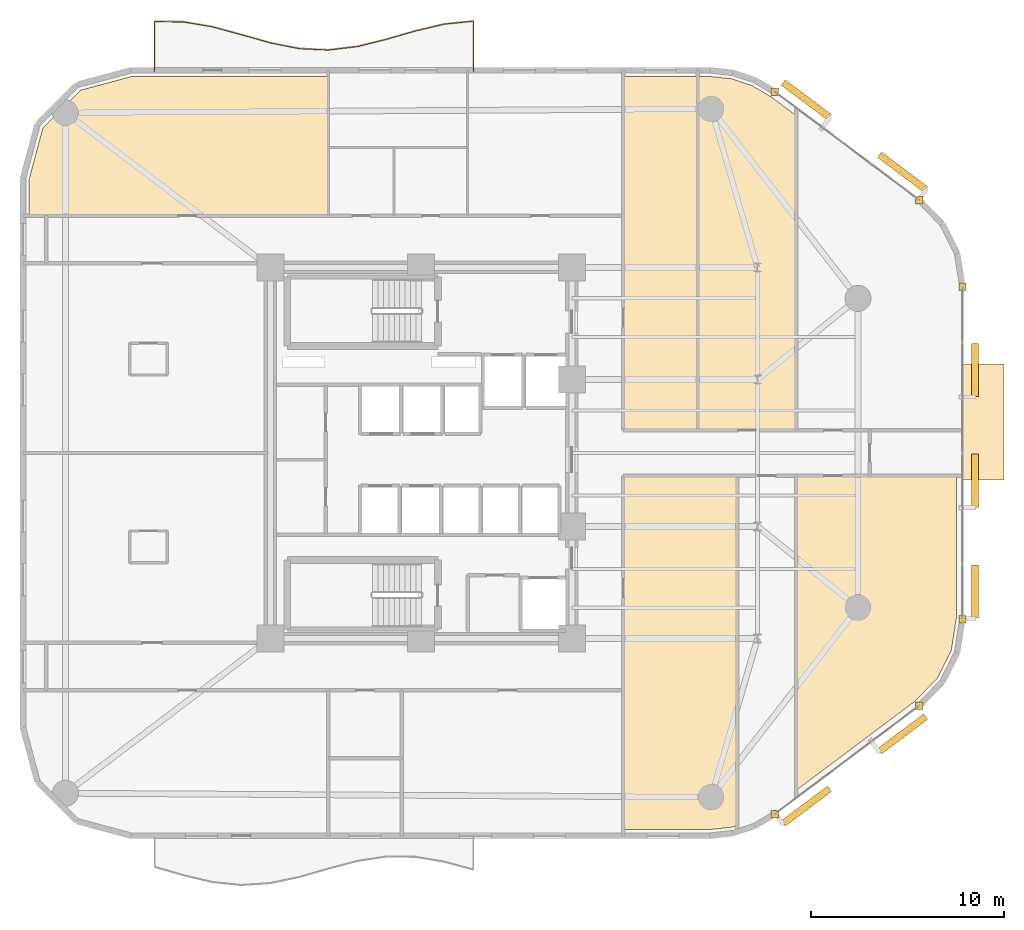
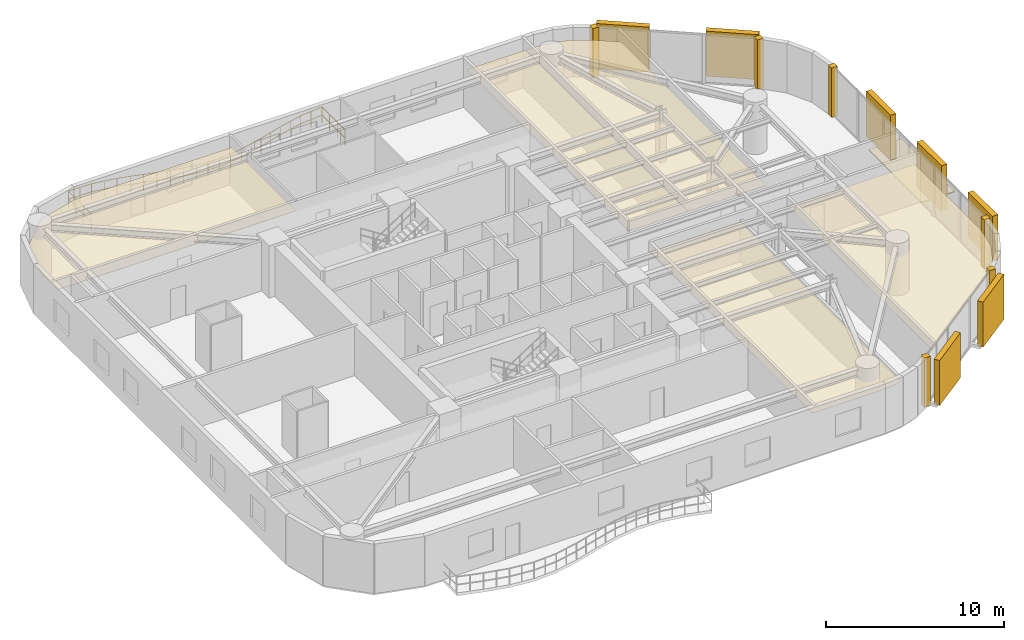
# One storey, part 16 of 16: 12 coverings, 7 shading devices, 1 railing.
"""IFC4 building model written with IfcOpenShell, lengths in metres."""

from ifc_helpers import new_model, si_unit, direction, frame, origin, origin_2d, place, context, subcontext, project, spatial, polyline, rectangle, circle, outline, extrude, material, layer, layer_set, type_object, element, save


model = new_model("IFC4")

# Units and contexts
model_context = context("Model", 3, precision=1e-05, world=origin(), true_north=direction((0.0, 1.0)))
body_context = subcontext(model_context, "Body", "Model", "MODEL_VIEW")
ifc_project = project(units=[si_unit("LENGTHUNIT", "METRE"), si_unit("AREAUNIT", "SQUARE_METRE"), si_unit("VOLUMEUNIT", "CUBIC_METRE"), si_unit("PLANEANGLEUNIT", "RADIAN"), si_unit("MASSUNIT", "GRAM", prefix="KILO")], contexts=[model_context])

# Site, building, storey
site_placement = place(None, origin())
site = spatial("IfcSite", under=ifc_project, at=site_placement, CompositionType="ELEMENT")
building_placement = place(site_placement, origin())
building = spatial("IfcBuilding", under=site, at=building_placement, Name="An Khanh Terracotta Commons", CompositionType="ELEMENT")
storey_placement = place(building_placement, frame((0.0, 0.0, 118.699951171875)))
storey = spatial("IfcBuildingStorey", under=building, at=storey_placement, Name="L31", CompositionType="ELEMENT", Elevation=118.699951171875)

# Coverings
ifc_material_1 = material(Name="Perforated Mineral-Fibre Acoustic Tile")
ifc_layer_1 = layer(ifc_material_1, 0.02001953125, Name="Perforated Mineral-Fibre Acoustic Tile")
ifc_layer_set_1 = layer_set([ifc_layer_1], Name="Perforated Mineral-Fibre Acoustic Tile")
covering_type_1 = type_object("IfcCoveringType", Name="CEIL-ACOUSTIC-18", PredefinedType="CEILING", material=ifc_layer_set_1)
covering_1_placement = place(storey_placement, frame((0.0, 0.0, 2.650146484375)))
element("IfcCovering", 1, at=covering_1_placement, inside=storey, type_object=covering_type_1, Name="L31 Collaborative Study Lounge Ceiling", PredefinedType="CEILING", context=body_context, shape_type="SweptSolid", body=[
    extrude(outline(polyline([(43.7080078125, 43.47998046875), (43.7080078125, 25.179931640625), (39.85009765625, 25.179931640625), (39.85009765625, 33.820068359375), (39.85009765625, 36.280029296875), (39.85009765625, 43.47998046875), (43.7080078125, 43.47998046875)])), origin(), (0.0, 0.0, 1.0), 0.02001953125),
])
covering_2_placement = place(storey_placement, frame((0.0, 0.0, 2.650146484375)))
element("IfcCovering", 2, at=covering_2_placement, inside=storey, type_object=covering_type_1, Name="L31 Collaborative Study Lounge Ceiling", PredefinedType="CEILING", context=body_context, shape_type="SweptSolid", body=[
    extrude(outline(polyline([(44.31591796875, 43.47998046875), (45.45703125, 43.35791015625), (46.529052734375, 43.0), (47.514892578125, 42.4140625), (48.800048828125, 41.449951171875), (48.800048828125, 25.179931640625), (43.7080078125, 25.179931640625), (43.7080078125, 43.47998046875), (44.31591796875, 43.47998046875)])), origin(), (0.0, 0.0, 1.0), 0.02001953125),
])
covering_3_placement = place(storey_placement, frame((0.0, 0.0, 2.650146484375)))
element("IfcCovering", 3, at=covering_3_placement, inside=storey, type_object=covering_type_1, Name="L31 Collaborative Study Lounge Ceiling", PredefinedType="CEILING", context=body_context, shape_type="SweptSolid", body=[
    extrude(outline(polyline([(45.45703125, 4.64208984375), (44.31591796875, 4.52001953125), (39.85009765625, 4.52001953125), (39.85009765625, 11.719970703125), (39.85009765625, 14.179931640625), (39.85009765625, 22.820068359375), (45.757080078125, 22.820068359375), (45.757080078125, 4.742919921875), (45.45703125, 4.64208984375)])), origin(), (0.0, 0.0, 1.0), 0.02001953125),
])
covering_4_placement = place(storey_placement, frame((0.0, 0.0, 2.650146484375)))
element("IfcCovering", 4, at=covering_4_placement, inside=storey, type_object=covering_type_1, Name="L31 Riverfront Reading Hall Ceiling", PredefinedType="CEILING", context=body_context, shape_type="SweptSolid", body=[
    extrude(outline(polyline([(57.080078125, 15.425048828125), (56.825927734375, 13.7939453125), (56.10009765625, 12.342041015625), (54.947998046875, 11.160888671875), (48.800048828125, 6.550048828125), (48.800048828125, 22.820068359375), (52.60009765625, 22.820068359375), (57.080078125, 22.820068359375), (57.080078125, 15.425048828125)])), origin(), (0.0, 0.0, 1.0), 0.02001953125),
])
covering_5_placement = place(storey_placement, frame((0.0, 0.0, 2.650146484375)))
element("IfcCovering", 5, at=covering_5_placement, inside=storey, type_object=covering_type_1, Name="L31 Academic Seminar Room Ceiling", PredefinedType="CEILING", context=body_context, shape_type="SweptSolid", body=[
    extrude(outline(polyline([(14.44189453125, 43.47998046875), (24.60009765625, 43.47998046875), (24.60009765625, 39.800048828125), (24.60009765625, 36.280029296875), (10.0, 36.280029296875), (9.1201171875, 36.280029296875), (9.1201171875, 38.157958984375), (9.8369140625, 40.833984375), (11.76611328125, 42.762939453125), (14.44189453125, 43.47998046875)])), origin(), (0.0, 0.0, 1.0), 0.02001953125),
])
ifc_material_2 = material(Name="Fired Terracotta Rainscreen Cladding", Category="masonry")
ifc_layer_2 = layer(ifc_material_2, 0.080078125, Name="Fired Terracotta Rainscreen Cladding")
ifc_layer_set_2 = layer_set([ifc_layer_2], Name="Fired Terracotta Rainscreen Cladding")
covering_type_2 = type_object("IfcCoveringType", Name="COV-JAMB-TERRA", PredefinedType="CLADDING", material=ifc_layer_set_2)
for number, where, z_axis, x_axis, name in (
    (6, (47.693115234375, 5.320068359375, 0.0), (0.0, 0.0, 1.0), (1.0, 0.0, 0.0), "L31 CW-02 Curtain-Wall Jamb Closure JA"),
    (7, (55.159912109375, 10.919921875, 0.0), (0.0, 0.0, 1.0), (1.0, 0.0, 0.0), "L31 CW-02 Curtain-Wall Jamb Closure JB"),
    (8, (57.39990234375, 15.39990234375, 0.0), (0.0, 0.0, 1.0), (1.0, 0.0, 0.0), "L31 CW-02 Curtain-Wall Jamb Closure JA"),
    (9, (57.39990234375, 32.60009765625, 0.0), (0.0, 0.0, 1.0), (1.0, 0.0, 0.0), "L31 CW-02 Curtain-Wall Jamb Closure JB"),
    (10, (55.159912109375, 37.080078125, 0.0), (0.0, 0.0, 1.0), (1.0, 0.0, 0.0), "L31 CW-02 Curtain-Wall Jamb Closure JA"),
    (11, (47.693115234375, 42.679931640625, 0.0), (0.0, 0.0, 1.0), (1.0, 0.0, 0.0), "L31 CW-02 Curtain-Wall Jamb Closure JB"),
):
    element("IfcCovering", number, at=place(storey_placement, frame(where, z_axis=z_axis, x_axis=x_axis)), inside=storey, type_object=covering_type_2, Name=name, PredefinedType="CLADDING", context=body_context, shape_type="SweptSolid", body=[
        extrude(rectangle(XDim=0.3798828125, YDim=0.3798828125, at=origin_2d()), origin(), (0.0, 0.0, 1.0), 3.39990234375),
    ])
ifc_material_3 = material(Name="Planted Garden Waterproofing Membrane")
ifc_layer_3 = layer(ifc_material_3, 0.080078125, Name="Planted Garden Waterproofing Membrane")
ifc_layer_set_3 = layer_set([ifc_layer_3], Name="Planted Garden Waterproofing Membrane")
covering_type_3 = type_object("IfcCoveringType", Name="COV-ROOFING-GREEN", PredefinedType="ROOFING", material=ifc_layer_set_3)
covering_6_placement = place(storey_placement, origin())
element("IfcCovering", 12, at=covering_6_placement, inside=storey, type_object=covering_type_3, Name="L31 Shifted Box Roof Waterproofing (L30)", PredefinedType="ROOFING", context=body_context, shape_type="SweptSolid", body=[
    extrude(outline(polyline([(57.39990234375, 22.60009765625), (59.550048828125, 22.60009765625), (59.550048828125, 28.60009765625), (57.39990234375, 28.60009765625), (57.39990234375, 22.60009765625)])), origin(), (0.0, 0.0, 1.0), 0.06005859375),
])

# Railing
ifc_material_4 = material(Name="Brushed Stainless Steel 316", Category="steel")
railing_type = type_object("IfcRailingType", Name="RAIL-BALUSTRADE-1100", PredefinedType="BALUSTRADE", material=ifc_material_4)
railing_placement = place(storey_placement, frame((32.10009765625, 43.739990234375, 0.0)))
element("IfcRailing", 13, at=railing_placement, inside=storey, type_object=railing_type, Name="L31 N Wave Balcony Guard Balustrade", PredefinedType="BALUSTRADE", context=body_context, shape_type="SweptSolid", body=[
    extrude(circle(Radius=0.02392578125, at=origin_2d()), frame((0.0, 0.0, 1.076171875), z_axis=(0.0, 1.0, 0.0), x_axis=(-1.0, 0.0, 0.0)), (0.0, 0.0, 1.0), 2.597900390625),
    extrude(circle(Radius=0.02392578125, at=origin_2d()), frame((0.0, 0.0, 0.52587890625), z_axis=(0.0, 1.0, 0.0), x_axis=(-1.0, 0.0, 0.0)), (0.0, 0.0, 1.0), 2.597900390625),
    extrude(circle(Radius=0.02392578125, at=origin_2d()), frame((0.0, 2.597900390625, 1.076171875), z_axis=(-0.994849482387, -0.101363244788, 0.0), x_axis=(0.101363244788, -0.994849482387, 0.0)), (0.0, 0.0, 1.0), 1.5078125),
    extrude(circle(Radius=0.02392578125, at=origin_2d()), frame((0.0, 2.597900390625, 0.52587890625), z_axis=(-0.994849482387, -0.101363244788, 0.0), x_axis=(0.101363244788, -0.994849482387, 0.0)), (0.0, 0.0, 1.0), 1.5078125),
    extrude(circle(Radius=0.02392578125, at=origin_2d()), frame((-1.5, 2.445068359375, 1.076171875), z_axis=(-0.973263214687, -0.229692653206, 0.0), x_axis=(0.229692653206, -0.973263214687, 0.0)), (0.0, 0.0, 1.0), 1.541259765625),
    extrude(circle(Radius=0.02392578125, at=origin_2d()), frame((-1.5, 2.445068359375, 0.52587890625), z_axis=(-0.973263214687, -0.229692653206, 0.0), x_axis=(0.229692653206, -0.973263214687, 0.0)), (0.0, 0.0, 1.0), 1.541259765625),
    extrude(circle(Radius=0.02392578125, at=origin_2d()), frame((-3.0, 2.091064453125, 1.076171875), z_axis=(-0.960419102414, -0.278559056071, 0.0), x_axis=(0.278559056071, -0.960419102414, 0.0)), (0.0, 0.0, 1.0), 1.561767578125),
    extrude(circle(Radius=0.02392578125, at=origin_2d()), frame((-3.0, 2.091064453125, 0.52587890625), z_axis=(-0.960419102414, -0.278559056071, 0.0), x_axis=(0.278559056071, -0.960419102414, 0.0)), (0.0, 0.0, 1.0), 1.561767578125),
    extrude(circle(Radius=0.02392578125, at=origin_2d()), frame((-4.5, 1.656005859375, 1.076171875), z_axis=(-0.970881568768, -0.239559970419, 0.0), x_axis=(0.239559970419, -0.970881568768, 0.0)), (0.0, 0.0, 1.0), 1.544921875),
    extrude(circle(Radius=0.02392578125, at=origin_2d()), frame((-4.5, 1.656005859375, 0.52587890625), z_axis=(-0.970881568768, -0.239559970419, 0.0), x_axis=(0.239559970419, -0.970881568768, 0.0)), (0.0, 0.0, 1.0), 1.544921875),
    extrude(circle(Radius=0.02392578125, at=origin_2d()), frame((-6.0, 1.285888671875, 1.076171875), z_axis=(-0.99288219023, -0.11910061429, 0.0), x_axis=(0.11910061429, -0.99288219023, 0.0)), (0.0, 0.0, 1.0), 1.5107421875),
    extrude(circle(Radius=0.02392578125, at=origin_2d()), frame((-6.0, 1.285888671875, 0.52587890625), z_axis=(-0.99288219023, -0.11910061429, 0.0), x_axis=(0.11910061429, -0.99288219023, 0.0)), (0.0, 0.0, 1.0), 1.5107421875),
    extrude(circle(Radius=0.02392578125, at=origin_2d()), frame((-7.5, 1.10595703125, 1.076171875), z_axis=(-0.998880243389, 0.047310245903, 0.0), x_axis=(-0.047310245903, -0.998880243389, 0.0)), (0.0, 0.0, 1.0), 1.501708984375),
    extrude(circle(Radius=0.02392578125, at=origin_2d()), frame((-7.5, 1.10595703125, 0.52587890625), z_axis=(-0.998880243389, 0.047310245903, 0.0), x_axis=(-0.047310245903, -0.998880243389, 0.0)), (0.0, 0.0, 1.0), 1.501708984375),
    extrude(circle(Radius=0.02392578125, at=origin_2d()), frame((-9.0, 1.177001953125, 1.076171875), z_axis=(-0.980819402607, 0.194918699639, 0.0), x_axis=(-0.194918699639, -0.980819402607, 0.0)), (0.0, 0.0, 1.0), 1.529296875),
    extrude(circle(Radius=0.02392578125, at=origin_2d()), frame((-9.0, 1.177001953125, 0.52587890625), z_axis=(-0.980819402607, 0.194918699639, 0.0), x_axis=(-0.194918699639, -0.980819402607, 0.0)), (0.0, 0.0, 1.0), 1.529296875),
    extrude(circle(Radius=0.02392578125, at=origin_2d()), frame((-10.5, 1.47509765625, 1.076171875), z_axis=(-0.962323659406, 0.271906554806, 0.0), x_axis=(-0.271906554806, -0.962323659406, 0.0)), (0.0, 0.0, 1.0), 1.558837890625),
    extrude(circle(Radius=0.02392578125, at=origin_2d()), frame((-10.5, 1.47509765625, 0.52587890625), z_axis=(-0.962323659406, 0.271906554806, 0.0), x_axis=(-0.271906554806, -0.962323659406, 0.0)), (0.0, 0.0, 1.0), 1.558837890625),
    extrude(circle(Radius=0.02392578125, at=origin_2d()), frame((-12.0, 1.89892578125, 1.076171875), z_axis=(-0.964908643051, 0.262585815622, 0.0), x_axis=(-0.262585815622, -0.964908643051, 0.0)), (0.0, 0.0, 1.0), 1.554443359375),
    extrude(circle(Radius=0.02392578125, at=origin_2d()), frame((-12.0, 1.89892578125, 0.52587890625), z_axis=(-0.964908643051, 0.262585815622, 0.0), x_axis=(-0.262585815622, -0.964908643051, 0.0)), (0.0, 0.0, 1.0), 1.554443359375),
    extrude(circle(Radius=0.02392578125, at=origin_2d()), frame((-13.5, 2.30712890625, 1.076171875), z_axis=(-0.986079829755, 0.16627257546, 0.0), x_axis=(-0.16627257546, -0.986079829755, 0.0)), (0.0, 0.0, 1.0), 1.521240234375),
    extrude(circle(Radius=0.02392578125, at=origin_2d()), frame((-13.5, 2.30712890625, 0.52587890625), z_axis=(-0.986079829755, 0.16627257546, 0.0), x_axis=(-0.16627257546, -0.986079829755, 0.0)), (0.0, 0.0, 1.0), 1.521240234375),
    extrude(circle(Radius=0.02392578125, at=origin_2d()), frame((-15.0, 2.56005859375, 1.076171875), z_axis=(-0.999956968224, 0.009276944529, 0.0), x_axis=(-0.009276944529, -0.999956968224, 0.0)), (0.0, 0.0, 1.0), 1.5),
    extrude(circle(Radius=0.02392578125, at=origin_2d()), frame((-15.0, 2.56005859375, 0.52587890625), z_axis=(-0.999956968224, 0.009276944529, 0.0), x_axis=(-0.009276944529, -0.999956968224, 0.0)), (0.0, 0.0, 1.0), 1.5),
    extrude(circle(Radius=0.02392578125, at=origin_2d()), frame((-16.5, 2.573974609375, 1.076171875), z_axis=(0.0, -1.0, 0.0), x_axis=(1.0, 0.0, 0.0)), (0.0, 0.0, 1.0), 2.573974609375),
    extrude(circle(Radius=0.02392578125, at=origin_2d()), frame((-16.5, 2.573974609375, 0.52587890625), z_axis=(0.0, -1.0, 0.0), x_axis=(1.0, 0.0, 0.0)), (0.0, 0.0, 1.0), 2.573974609375),
    extrude(circle(Radius=0.02099609375, at=origin_2d()), origin(), (0.0, 0.0, 1.0), 1.052001953125),
    extrude(circle(Radius=0.02099609375, at=origin_2d()), frame((0.0, 0.865966796875, 0.0)), (0.0, 0.0, 1.0), 1.052001953125),
    extrude(circle(Radius=0.02099609375, at=origin_2d()), frame((0.0, 1.73193359375, 0.0)), (0.0, 0.0, 1.0), 1.052001953125),
    extrude(circle(Radius=0.02099609375, at=origin_2d()), frame((0.0, 2.597900390625, 0.0)), (0.0, 0.0, 1.0), 1.052001953125),
    extrude(circle(Radius=0.02099609375, at=origin_2d()), frame((-0.75, 2.521484375, 0.0)), (0.0, 0.0, 1.0), 1.052001953125),
    extrude(circle(Radius=0.02099609375, at=origin_2d()), frame((-1.5, 2.445068359375, 0.0)), (0.0, 0.0, 1.0), 1.052001953125),
    extrude(circle(Radius=0.02099609375, at=origin_2d()), frame((-2.25, 2.26806640625, 0.0)), (0.0, 0.0, 1.0), 1.052001953125),
    extrude(circle(Radius=0.02099609375, at=origin_2d()), frame((-3.0, 2.091064453125, 0.0)), (0.0, 0.0, 1.0), 1.052001953125),
    extrude(circle(Radius=0.02099609375, at=origin_2d()), frame((-3.75, 1.87353515625, 0.0)), (0.0, 0.0, 1.0), 1.052001953125),
    extrude(circle(Radius=0.02099609375, at=origin_2d()), frame((-4.5, 1.656005859375, 0.0)), (0.0, 0.0, 1.0), 1.052001953125),
    extrude(circle(Radius=0.02099609375, at=origin_2d()), frame((-5.25, 1.470947265625, 0.0)), (0.0, 0.0, 1.0), 1.052001953125),
    extrude(circle(Radius=0.02099609375, at=origin_2d()), frame((-6.0, 1.285888671875, 0.0)), (0.0, 0.0, 1.0), 1.052001953125),
    extrude(circle(Radius=0.02099609375, at=origin_2d()), frame((-6.75, 1.19580078125, 0.0)), (0.0, 0.0, 1.0), 1.052001953125),
    extrude(circle(Radius=0.02099609375, at=origin_2d()), frame((-7.5, 1.10595703125, 0.0)), (0.0, 0.0, 1.0), 1.052001953125),
    extrude(circle(Radius=0.02099609375, at=origin_2d()), frame((-8.25, 1.1416015625, 0.0)), (0.0, 0.0, 1.0), 1.052001953125),
    extrude(circle(Radius=0.02099609375, at=origin_2d()), frame((-9.0, 1.177001953125, 0.0)), (0.0, 0.0, 1.0), 1.052001953125),
    extrude(circle(Radius=0.02099609375, at=origin_2d()), frame((-9.75, 1.326171875, 0.0)), (0.0, 0.0, 1.0), 1.052001953125),
    extrude(circle(Radius=0.02099609375, at=origin_2d()), frame((-10.5, 1.47509765625, 0.0)), (0.0, 0.0, 1.0), 1.052001953125),
    extrude(circle(Radius=0.02099609375, at=origin_2d()), frame((-11.25, 1.68701171875, 0.0)), (0.0, 0.0, 1.0), 1.052001953125),
    extrude(circle(Radius=0.02099609375, at=origin_2d()), frame((-12.0, 1.89892578125, 0.0)), (0.0, 0.0, 1.0), 1.052001953125),
    extrude(circle(Radius=0.02099609375, at=origin_2d()), frame((-12.75, 2.10302734375, 0.0)), (0.0, 0.0, 1.0), 1.052001953125),
    extrude(circle(Radius=0.02099609375, at=origin_2d()), frame((-13.5, 2.30712890625, 0.0)), (0.0, 0.0, 1.0), 1.052001953125),
    extrude(circle(Radius=0.02099609375, at=origin_2d()), frame((-14.25, 2.43359375, 0.0)), (0.0, 0.0, 1.0), 1.052001953125),
    extrude(circle(Radius=0.02099609375, at=origin_2d()), frame((-15.0, 2.56005859375, 0.0)), (0.0, 0.0, 1.0), 1.052001953125),
    extrude(circle(Radius=0.02099609375, at=origin_2d()), frame((-15.75, 2.56689453125, 0.0)), (0.0, 0.0, 1.0), 1.052001953125),
    extrude(circle(Radius=0.02099609375, at=origin_2d()), frame((-16.5, 2.573974609375, 0.0)), (0.0, 0.0, 1.0), 1.052001953125),
    extrude(circle(Radius=0.02099609375, at=origin_2d()), frame((-16.5, 1.716064453125, 0.0)), (0.0, 0.0, 1.0), 1.052001953125),
    extrude(circle(Radius=0.02099609375, at=origin_2d()), frame((-16.5, 0.85791015625, 0.0)), (0.0, 0.0, 1.0), 1.052001953125),
    extrude(circle(Radius=0.02099609375, at=origin_2d()), frame((-16.5, 0.0, 0.0)), (0.0, 0.0, 1.0), 1.052001953125),
])

# Shading devices
ifc_material_5 = material(Name="Extruded Fired Terracotta", Category="masonry")
shading_device_type = type_object("IfcShadingDeviceType", Name="Terracotta Baguette Screen Assembly", PredefinedType="USERDEFINED", material=ifc_material_5)
for number, where, z_axis, x_axis, name in (
    (14, (49.326904296875, 5.73291015625, 0.14990234375), (0.0, 0.0, 1.0), (0.800012856594, 0.599982857492, 0.0), "L31 Terracotta Baguette Screen 1"),
    (15, (54.304931640625, 9.467041015625, 0.14990234375), (0.0, 0.0, 1.0), (0.800012856594, 0.599982857492, 0.0), "L31 Terracotta Baguette Screen 3"),
):
    element("IfcShadingDevice", number, at=place(storey_placement, frame(where, z_axis=z_axis, x_axis=x_axis)), inside=storey, type_object=shading_device_type, Name=name, ObjectType="BAGUETTE", PredefinedType="USERDEFINED", context=body_context, shape_type="SweptSolid", body=[
        extrude(rectangle(XDim=2.990966796875, YDim=0.35009765625, at=origin_2d()), origin(), (0.0, 0.0, 1.0), 3.10009765625),
    ])
for number, where, z_axis, x_axis, name in (
    (16, (58.050048828125, 16.8330078125, 0.14990234375), (0.0, 0.0, 1.0), (0.0, 1.0, 0.0), "L31 Terracotta Baguette Screen 1"),
    (17, (58.050048828125, 22.56689453125, 0.14990234375), (0.0, 0.0, 1.0), (0.0, 1.0, 0.0), "L31 Terracotta Baguette Screen 3"),
    (18, (58.050048828125, 28.300048828125, 0.14990234375), (0.0, 0.0, 1.0), (0.0, 1.0, 0.0), "L31 Terracotta Baguette Screen 5"),
):
    element("IfcShadingDevice", number, at=place(storey_placement, frame(where, z_axis=z_axis, x_axis=x_axis)), inside=storey, type_object=shading_device_type, Name=name, ObjectType="BAGUETTE", PredefinedType="USERDEFINED", context=body_context, shape_type="SweptSolid", body=[
        extrude(rectangle(XDim=2.7470703125, YDim=0.35009765625, at=origin_2d()), origin(), (0.0, 0.0, 1.0), 3.10009765625),
    ])
for number, where, z_axis, x_axis, name in (
    (19, (54.304931640625, 38.532958984375, 0.14990234375), (0.0, 0.0, 1.0), (-0.800012856594, 0.599982857492, 0.0), "L31 Terracotta Baguette Screen 1"),
    (20, (49.326904296875, 42.26708984375, 0.14990234375), (0.0, 0.0, 1.0), (-0.800012856594, 0.599982857492, 0.0), "L31 Terracotta Baguette Screen 3"),
):
    element("IfcShadingDevice", number, at=place(storey_placement, frame(where, z_axis=z_axis, x_axis=x_axis)), inside=storey, type_object=shading_device_type, Name=name, ObjectType="BAGUETTE", PredefinedType="USERDEFINED", context=body_context, shape_type="SweptSolid", body=[
        extrude(rectangle(XDim=2.990966796875, YDim=0.35009765625, at=origin_2d()), origin(), (0.0, 0.0, 1.0), 3.10009765625),
    ])

save(model, "model.ifc")
